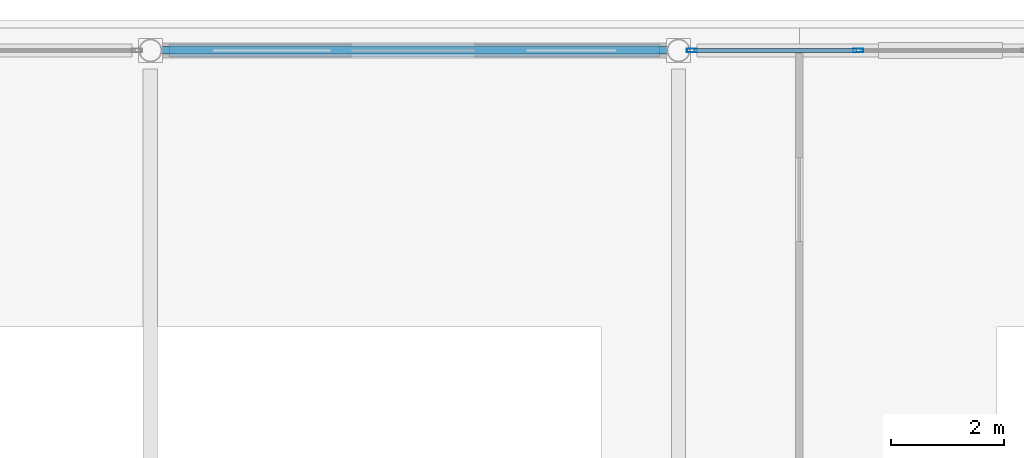
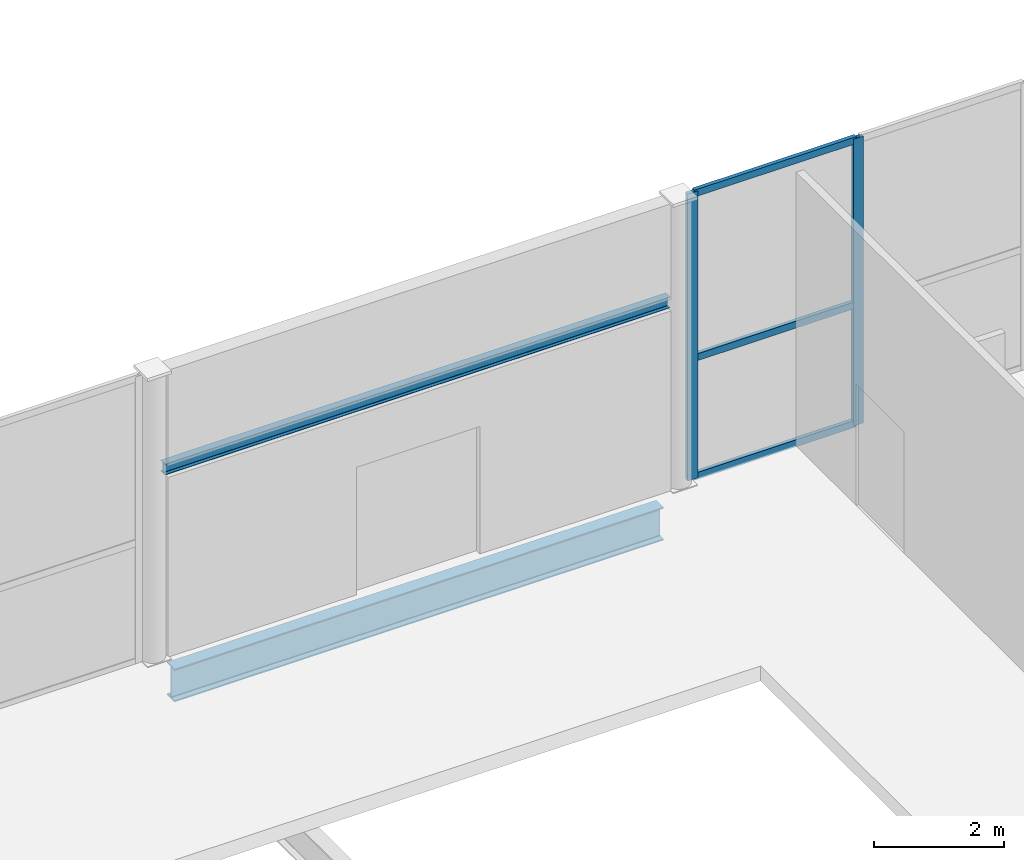
# One storey, part 40 of 83: 5 members, 2 beams, 1 element without a shape of its own.
"""IFC4 building model written with IfcOpenShell, lengths in metres."""

from ifc_helpers import new_model, si_unit, direction, frame, origin, origin_2d, place, context, subcontext, project, spatial, hollow_rectangle, i_section, extrude, material, layer, layer_set, material_profile, profile_set, type_object, element, aggregate, save


model = new_model("IFC4")

# Units and contexts
model_context = context("Model", 3, precision=1e-05, world=origin(), true_north=direction((0.0, 1.0)))
body_context = subcontext(model_context, "Body", "Model", "MODEL_VIEW")
ifc_project = project(units=[si_unit("LENGTHUNIT", "METRE"), si_unit("AREAUNIT", "SQUARE_METRE"), si_unit("VOLUMEUNIT", "CUBIC_METRE"), si_unit("PLANEANGLEUNIT", "RADIAN"), si_unit("MASSUNIT", "GRAM", prefix="KILO")], contexts=[model_context])

# Site, building, storey
site_placement = place(None, origin())
site = spatial("IfcSite", under=ifc_project, at=site_placement, CompositionType="ELEMENT")
building_placement = place(site_placement, origin())
building = spatial("IfcBuilding", under=site, at=building_placement, Name="Quillay Park Conservatory", CompositionType="ELEMENT")
storey_placement = place(building_placement, origin())
storey = spatial("IfcBuildingStorey", under=building, at=storey_placement, Name="L00", CompositionType="ELEMENT", Elevation=0.0)

# Curtain wall, members
ifc_material_1 = material(Name="Thermally Broken Anodised Aluminium 6063-T6", Category="aluminium")
ifc_layer = layer(ifc_material_1, 0.219970703125)
ifc_layer_set = layer_set([ifc_layer], Name="UNITISED CURTAIN WALL CONSERVATORY (Thermally Broken Anodised Aluminium 6063-T6)")
curtain_wall_type = type_object("IfcCurtainWallType", Name="UNITISED CURTAIN WALL CONSERVATORY", PredefinedType="USERDEFINED", material=ifc_layer_set)
curtain_wall_placement = place(storey_placement, origin())
curtain_wall = element("IfcCurtainWall", 1, at=curtain_wall_placement, inside=storey, type_object=curtain_wall_type, Name="L00 Unitised Curtain Wall 150", ObjectType="UNITISED CURTAIN WALL", PredefinedType="USERDEFINED")
ifc_material_2 = material(Name="Thermally Broken Anodised Aluminium 6063-T6", Category="aluminium")
ifc_material_profile_1 = material_profile(ifc_material_2, hollow_rectangle(XDim=0.070068359375, YDim=0.179931640625, WallThickness=0.00390625, at=origin_2d()), Name="AL70x180x4")
ifc_profile_set_1 = profile_set([ifc_material_profile_1], Name="Thermally Broken Anodised Aluminium 6063-T6")
member_type_1 = type_object("IfcMemberType", Name="CURTAIN WALL MULLION 70 X180", PredefinedType="MULLION", material=ifc_profile_set_1)
member_1_placement = place(storey_placement, frame((49.59814453125, 113.39990234375, 0.0), z_axis=(0.0, 0.0, 1.0), x_axis=(0.0, 1.0, 0.0)))
member_1 = element("IfcMember", 2, at=member_1_placement, type_object=member_type_1, Name="CW-C1 mullion 1", PredefinedType="MULLION", context=body_context, shape_type="SweptSolid", body=[
    extrude(hollow_rectangle(XDim=0.070068359375, YDim=0.179931640625, WallThickness=0.00390625, at=origin_2d()), origin(), (0.0, 0.0, 1.0), 5.39990234375),
])
member_2_placement = place(storey_placement, frame((52.546875, 113.39990234375, 0.0), z_axis=(0.0, 0.0, 1.0), x_axis=(0.0, 1.0, 0.0)))
member_2 = element("IfcMember", 3, at=member_2_placement, type_object=member_type_1, Name="CW-C1 mullion 2", PredefinedType="MULLION", context=body_context, shape_type="SweptSolid", body=[
    extrude(hollow_rectangle(XDim=0.070068359375, YDim=0.179931640625, WallThickness=0.00390625, at=origin_2d()), origin(), (0.0, 0.0, 1.0), 5.39990234375),
])
ifc_material_3 = material(Name="Thermally Broken Anodised Aluminium 6063-T6", Category="aluminium")
ifc_material_profile_2 = material_profile(ifc_material_3, hollow_rectangle(XDim=0.070068359375, YDim=0.1298828125, WallThickness=0.003173828125, at=origin_2d()), Name="AL70x130x3.2")
ifc_profile_set_2 = profile_set([ifc_material_profile_2], Name="Thermally Broken Anodised Aluminium 6063-T6")
member_type_2 = type_object("IfcMemberType", Name="CURTAIN WALL TRANSOM 70 X130", PredefinedType="USERDEFINED", material=ifc_profile_set_2)
member_3_placement = place(storey_placement, frame((49.633056640625, 113.39990234375, 0.034912109375), z_axis=(1.0, 0.0, 0.0), x_axis=(0.0, 1.0, 0.0)))
member_3 = element("IfcMember", 4, at=member_3_placement, type_object=member_type_2, Name="CW-C1 transom 1.1", ObjectType="TRANSOM", PredefinedType="USERDEFINED", context=body_context, shape_type="SweptSolid", body=[
    extrude(hollow_rectangle(XDim=0.070068359375, YDim=0.1298828125, WallThickness=0.003173828125, at=origin_2d()), origin(), (0.0, 0.0, 1.0), 2.87890625),
])
member_4_placement = place(storey_placement, frame((49.633056640625, 113.39990234375, 2.26806640625), z_axis=(1.0, 0.0, 0.0), x_axis=(0.0, 1.0, 0.0)))
member_4 = element("IfcMember", 5, at=member_4_placement, type_object=member_type_2, Name="CW-C1 transom 1.2", ObjectType="TRANSOM", PredefinedType="USERDEFINED", context=body_context, shape_type="SweptSolid", body=[
    extrude(hollow_rectangle(XDim=0.070068359375, YDim=0.1298828125, WallThickness=0.003173828125, at=origin_2d()), origin(), (0.0, 0.0, 1.0), 2.87890625),
])
member_5_placement = place(storey_placement, frame((49.633056640625, 113.39990234375, 5.364990234375), z_axis=(1.0, 0.0, 0.0), x_axis=(0.0, 1.0, 0.0)))
member_5 = element("IfcMember", 6, at=member_5_placement, type_object=member_type_2, Name="CW-C1 transom 1.3", ObjectType="TRANSOM", PredefinedType="USERDEFINED", context=body_context, shape_type="SweptSolid", body=[
    extrude(hollow_rectangle(XDim=0.070068359375, YDim=0.1298828125, WallThickness=0.003173828125, at=origin_2d()), origin(), (0.0, 0.0, 1.0), 2.87890625),
])
aggregate(curtain_wall, [member_1, member_2, member_3, member_4, member_5])

# Beams
ifc_material_4 = material(Name="Steel ASTM A992 Grade 50", Category="steel")
ifc_material_profile_3 = material_profile(ifc_material_4, i_section(OverallWidth=0.133056640625, OverallDepth=0.20703125, WebThickness=0.005859375, FlangeThickness=0.00830078125, FilletRadius=0.008056640625, at=origin_2d()), Name="W200x27")
ifc_profile_set_3 = profile_set([ifc_material_profile_3], Name="Steel ASTM A992 Grade 50")
beam_type_1 = type_object("IfcBeamType", Name="OPENING LINTEL BEAM W200 X27", PredefinedType="LINTEL", material=ifc_profile_set_3)
beam_1_placement = place(storey_placement, frame((40.185546875, 113.39990234375, 3.49658203125), z_axis=(1.0, 0.0, 0.0), x_axis=(0.0, 1.0, 0.0)))
element("IfcBeam", 7, at=beam_1_placement, inside=storey, type_object=beam_type_1, Name="L00 beam BM-LNT-1599", PredefinedType="LINTEL", context=body_context, shape_type="SweptSolid", body=[
    extrude(i_section(OverallWidth=0.133056640625, OverallDepth=0.20703125, WebThickness=0.005859375, FlangeThickness=0.00830078125, FilletRadius=0.008056640625, at=origin_2d()), origin(), (0.0, 0.0, 1.0), 8.99560546875),
])
ifc_material_5 = material(Name="Steel ASTM A992 Grade 50", Category="steel")
ifc_material_profile_4 = material_profile(ifc_material_5, i_section(OverallWidth=0.22998046875, OverallDepth=0.616943359375, WebThickness=0.01318359375, FlangeThickness=0.022216796875, FilletRadius=0.014892578125, at=origin_2d()), Name="W610x140")
ifc_profile_set_4 = profile_set([ifc_material_profile_4], Name="Steel ASTM A992 Grade 50")
beam_type_2 = type_object("IfcBeamType", Name="PRIMARY FLOOR GIRDER W610 X140", PredefinedType="BEAM", material=ifc_profile_set_4)
beam_2_placement = place(storey_placement, frame((40.33056640625, 113.39990234375, -0.58837890625), z_axis=(1.0, 0.0, 0.0), x_axis=(0.0, 1.0, 0.0)))
element("IfcBeam", 8, at=beam_2_placement, inside=storey, type_object=beam_type_2, Name="L00 beam BM-V1L0-1621", PredefinedType="BEAM", context=body_context, shape_type="SweptSolid", body=[
    extrude(i_section(OverallWidth=0.22998046875, OverallDepth=0.616943359375, WebThickness=0.01318359375, FlangeThickness=0.022216796875, FilletRadius=0.014892578125, at=origin_2d()), origin(), (0.0, 0.0, 1.0), 8.70556640625),
])

save(model, "model.ifc")
